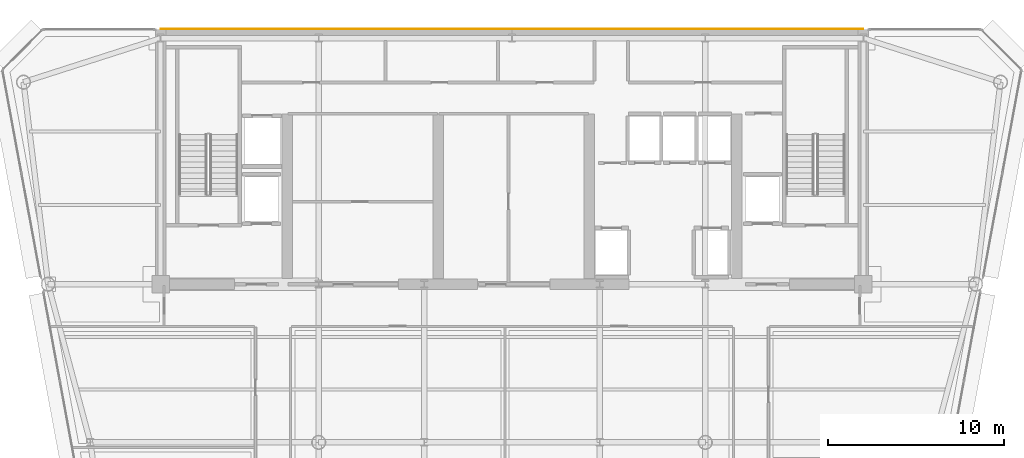
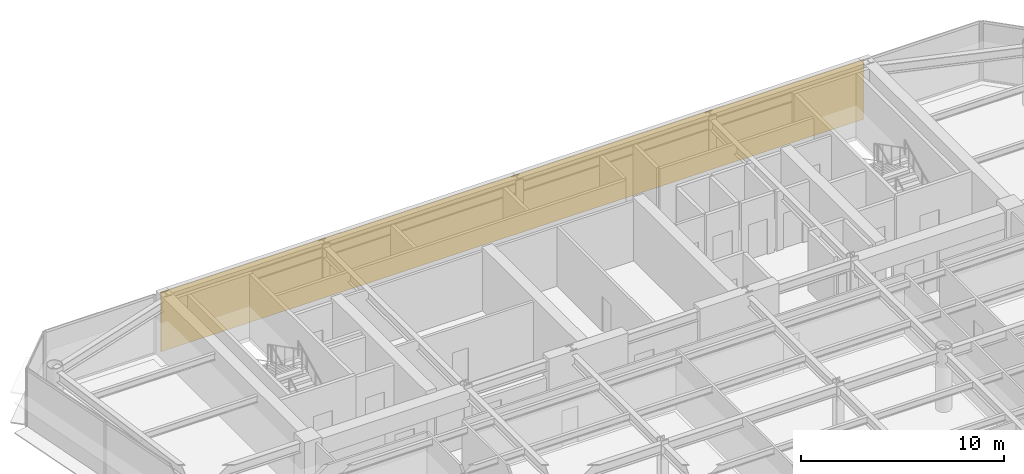
# One storey, part 15 of 16: 1 covering.
"""IFC4 building model written with IfcOpenShell, lengths in metres."""

from ifc_helpers import new_model, si_unit, direction, frame, origin, place, context, subcontext, project, spatial, polyline, outline, extrude, material, layer, layer_set, type_object, element, save


model = new_model("IFC4")

# Units and contexts
model_context = context("Model", 3, precision=1e-05, world=origin(), true_north=direction((0.0, 1.0)))
body_context = subcontext(model_context, "Body", "Model", "MODEL_VIEW")
ifc_project = project(units=[si_unit("LENGTHUNIT", "METRE"), si_unit("AREAUNIT", "SQUARE_METRE"), si_unit("VOLUMEUNIT", "CUBIC_METRE"), si_unit("PLANEANGLEUNIT", "RADIAN"), si_unit("MASSUNIT", "GRAM", prefix="KILO")], contexts=[model_context])

# Site, building, storey
site_placement = place(None, origin())
site = spatial("IfcSite", under=ifc_project, at=site_placement, CompositionType="ELEMENT")
building_placement = place(site_placement, origin())
building = spatial("IfcBuilding", under=site, at=building_placement, Name="Vaeldorn Concourse Tower", CompositionType="ELEMENT")
storey_placement = place(building_placement, frame((0.0, 0.0, 210.800048828125)))
storey = spatial("IfcBuildingStorey", under=building, at=storey_placement, Name="L54", CompositionType="ELEMENT", Elevation=210.800048828125)

# Covering
ifc_material = material(Name="Anodised Bronze Aluminium", Category="aluminium")
ifc_layer = layer(ifc_material, 0.050048828125)
ifc_layer_set = layer_set([ifc_layer], Name="Anodised Bronze Aluminium")
covering_type = type_object("IfcCoveringType", Name="COV-CLAD-BRONZE", PredefinedType="CLADDING", material=ifc_layer_set)
covering_placement = place(storey_placement, origin())
element("IfcCovering", 1, at=covering_placement, inside=storey, type_object=covering_type, Name="Rear Core Bronze Spandrel Cladding L54", PredefinedType="CLADDING", context=body_context, shape_type="SweptSolid", body=[
    extrude(outline(polyline([(14.0, 51.0), (54.0, 51.0), (54.0, 51.050048828125), (14.0, 51.050048828125), (14.0, 51.0)])), origin(), (0.0, 0.0, 1.0), 3.579833984375),
])

save(model, "model.ifc")
